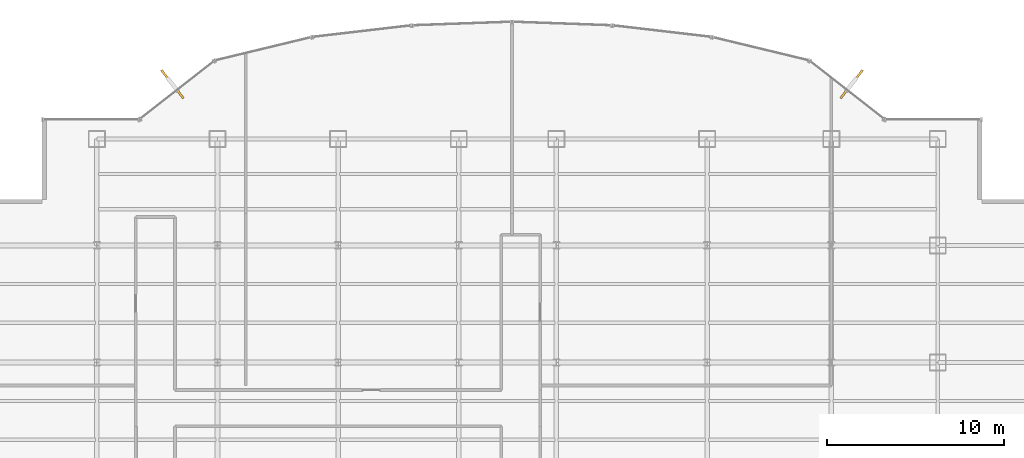
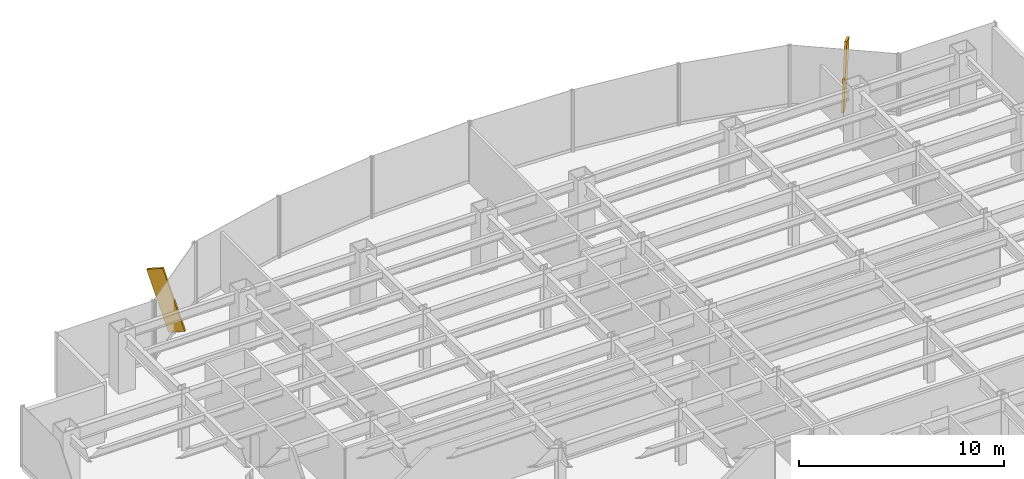
# One storey, part 22 of 23: 2 shading devices.
"""IFC4 building model written with IfcOpenShell, lengths in metres."""

from ifc_helpers import new_model, si_unit, derived_unit, direction, frame, origin, origin_2d, place, context, subcontext, project, spatial, rectangle, extrude, source, transform, mapped, material, type_object, element, save


model = new_model("IFC4")

# Units and contexts
model_context = context("Model", 3, precision=1e-05, world=origin(), true_north=direction((0.0, 1.0)))
body_context = subcontext(model_context, "Body", "Model", "MODEL_VIEW")
ifc_project = project(units=[si_unit("LENGTHUNIT", "METRE"), si_unit("AREAUNIT", "SQUARE_METRE"), si_unit("VOLUMEUNIT", "CUBIC_METRE"), si_unit("PLANEANGLEUNIT", "RADIAN"), si_unit("MASSUNIT", "GRAM", prefix="KILO"), derived_unit("THERMALTRANSMITTANCEUNIT", [(si_unit("POWERUNIT", "WATT"), 1), (si_unit("LENGTHUNIT", "METRE"), -2), (si_unit("THERMODYNAMICTEMPERATUREUNIT", "KELVIN"), -1)])], contexts=[model_context])

# Site, building, storey
site_placement = place(None, origin())
site = spatial("IfcSite", under=ifc_project, at=site_placement, CompositionType="ELEMENT")
building_placement = place(site_placement, origin())
building = spatial("IfcBuilding", under=site, at=building_placement, Name="Skarnbrae Concourse Arena and Tower", CompositionType="ELEMENT")
storey_placement = place(building_placement, frame((0.0, 0.0, 43.449951171875)))
storey = spatial("IfcBuildingStorey", under=building, at=storey_placement, Name="L09", CompositionType="ELEMENT", Elevation=43.449951171875)

# Shading devices
ifc_material = material(Name="Bronze anodised aluminium 6063-T6", Category="aluminium")
shading_device_type = type_object("IfcShadingDeviceType", Name="SHD-BRONZE-FIN-900", PredefinedType="USERDEFINED", material=ifc_material)
shared_shape = source(origin(), body_context, "Body", "SweptSolid", [
    extrude(rectangle(XDim=0.1201171875, YDim=0.89990234375, at=origin_2d()), origin(), (0.0, 0.0, 1.0), 3.64990234375),
])
for number, where, z_axis, x_axis, name in (
    (1, (49.784423828125, 43.030029296875, 0.0947265625), (0.19580213261, 0.250317994447, 0.94815738489), (0.787656027369, -0.616115234797, 0.0), "L09 Outward-leaning bronze shading fin 08"),
    (2, (12.215576171875, 43.030029296875, 0.0947265625), (-0.19580213261, 0.250317994447, 0.94815738489), (0.787656027369, 0.616115234797, 0.0), "L09 Outward-leaning bronze shading fin 15"),
):
    element("IfcShadingDevice", number, at=place(storey_placement, frame(where, z_axis=z_axis, x_axis=x_axis)), inside=storey, type_object=shading_device_type, Name=name, ObjectType="FIN", PredefinedType="USERDEFINED", context=body_context, shape_type="MappedRepresentation", body=[
        mapped(shared_shape, transform((0.0, 0.0, 0.0))),
    ])

save(model, "model.ifc")
